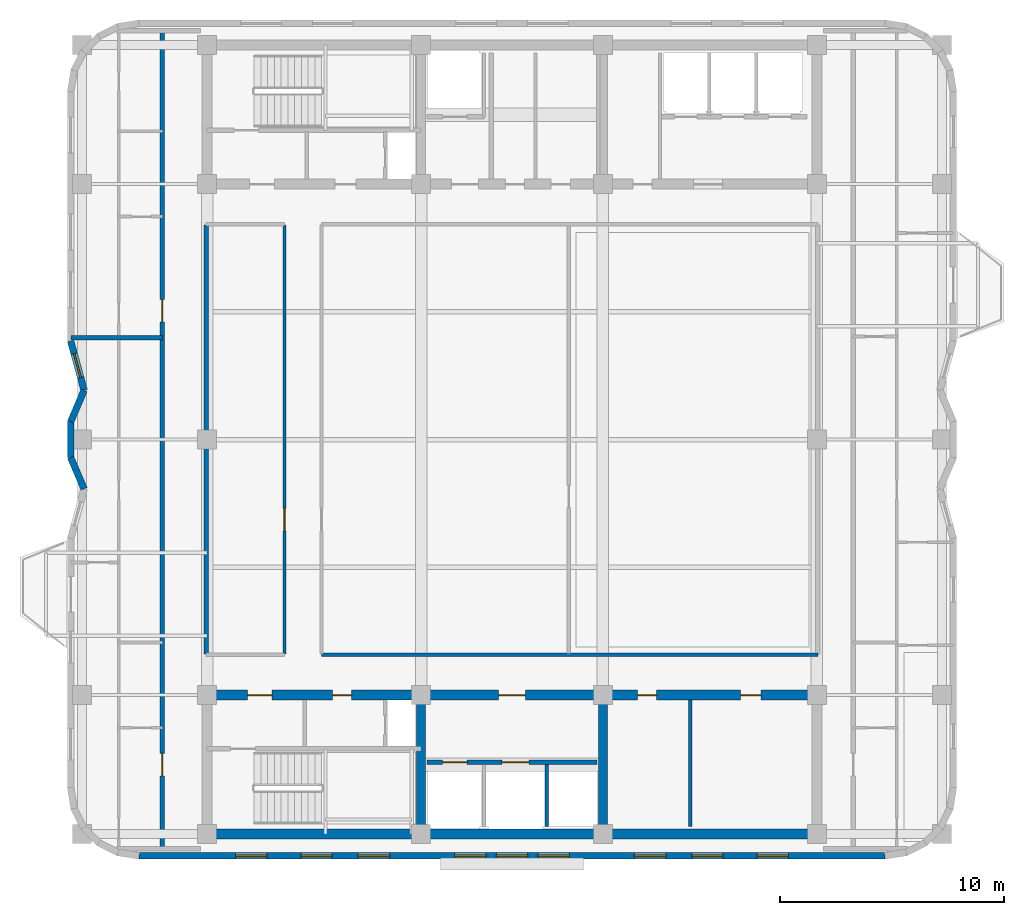
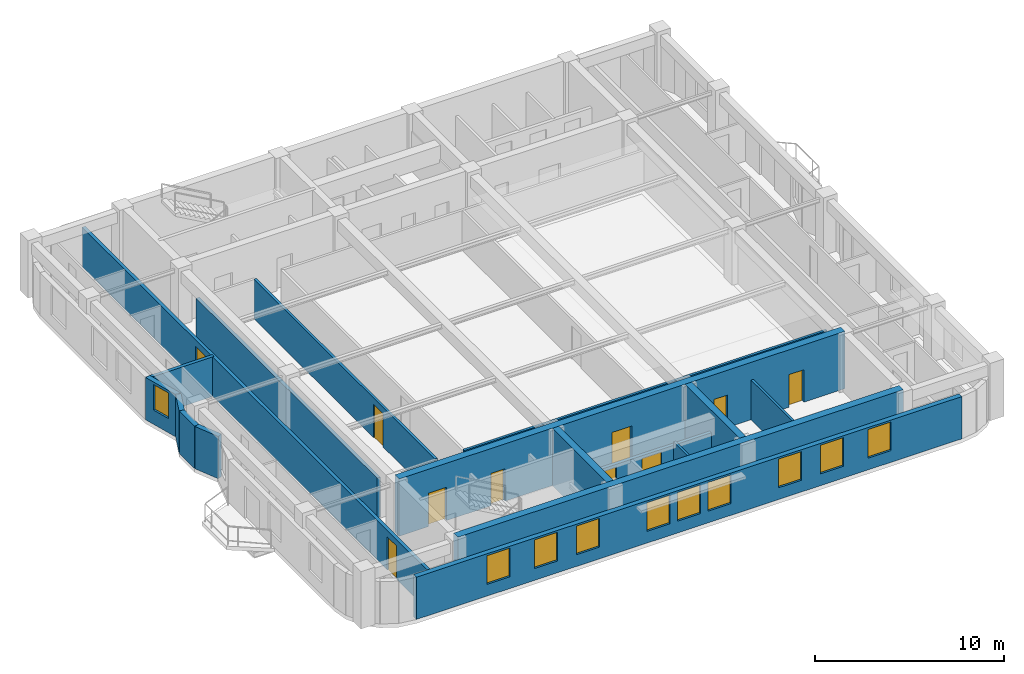
# One storey, part 3 of 8: 17 walls, 10 doors, 10 windows, 20 openings.
"""IFC4 building model written with IfcOpenShell, lengths in metres."""

from ifc_helpers import new_model, si_unit, direction, frame, frame_2d, origin, place, context, subcontext, project, spatial, rectangle, extrude, material, layer, layer_set, type_object, element, fill, save


model = new_model("IFC4")

# Units and contexts
model_context = context("Model", 3, precision=1e-05, world=origin(), true_north=direction((0.0, 1.0)))
body_context = subcontext(model_context, "Body", "Model", "MODEL_VIEW")
ifc_project = project(units=[si_unit("LENGTHUNIT", "METRE"), si_unit("AREAUNIT", "SQUARE_METRE"), si_unit("VOLUMEUNIT", "CUBIC_METRE"), si_unit("PLANEANGLEUNIT", "RADIAN"), si_unit("MASSUNIT", "GRAM", prefix="KILO")], contexts=[model_context])

# Site, building, storey
site_placement = place(None, origin())
site = spatial("IfcSite", under=ifc_project, at=site_placement, CompositionType="ELEMENT")
building_placement = place(site_placement, origin())
building = spatial("IfcBuilding", under=site, at=building_placement, Name="Svetorya Sky Lyceum", CompositionType="ELEMENT")
storey_placement = place(building_placement, frame((0.0, 0.0, 248.0)))
storey = spatial("IfcBuildingStorey", under=building, at=storey_placement, Name="L62", CompositionType="ELEMENT", Elevation=248.0)

# Walls
ifc_material_1 = material(Name="Concrete C40/50", Category="concrete")
ifc_layer_1 = layer(ifc_material_1, 0.39990234375)
ifc_layer_set_1 = layer_set([ifc_layer_1], Name="Concrete C40/50")
wall_type_1 = type_object("IfcWallType", Name="WL-CORE-400", PredefinedType="SHEAR", material=ifc_layer_set_1)
for number, where, z_axis, x_axis, name in (
    (1, (35.14990234375, 10.824951171875, 0.0), (0.0, 0.0, 1.0), (0.0, 1.0, 0.0), "L62 SC Internal Shear Web WEB1"),
    (2, (43.25, 10.824951171875, 0.0), (0.0, 0.0, 1.0), (0.0, 1.0, 0.0), "L62 SC Internal Shear Web WEB2"),
):
    element("IfcWall", number, at=place(storey_placement, frame(where, z_axis=z_axis, x_axis=x_axis)), inside=storey, type_object=wall_type_1, Name=name, PredefinedType="SHEAR", context=body_context, shape_type="SweptSolid", body=[
        extrude(rectangle(XDim=5.75, YDim=0.39990234375, at=frame_2d((2.875, 0.0))), origin(), (0.0, 0.0, 1.0), 3.699951171875),
    ])
ifc_material_2 = material(Name="Concrete C50/60", Category="concrete")
ifc_layer_2 = layer(ifc_material_2, 0.449951171875)
ifc_layer_set_2 = layer_set([ifc_layer_2], Name="Concrete C50/60")
wall_type_2 = type_object("IfcWallType", Name="WL-CORE-450", PredefinedType="SHEAR", material=ifc_layer_set_2)
wall_1_placement = place(storey_placement, frame((52.800048828125, 10.60009765625, 0.0), z_axis=(0.0, 0.0, 1.0), x_axis=(-1.0, 0.0, 0.0)))
element("IfcWall", 3, at=wall_1_placement, inside=storey, type_object=wall_type_2, Name="L62 SC Outer Core Shear Wall", PredefinedType="SHEAR", context=body_context, shape_type="SweptSolid", body=[
    extrude(rectangle(XDim=27.199951171875, YDim=0.449951171875, at=frame_2d((13.60009765625, 0.0))), origin(), (0.0, 0.0, 1.0), 3.699951171875),
])

# Wall, openings, doors
wall_2_placement = place(storey_placement, frame((25.60009765625, 16.800048828125, 0.0), z_axis=(0.0, 0.0, 1.0), x_axis=(1.0, 0.0, 0.0)))
wall_2 = element("IfcWall", 4, at=wall_2_placement, inside=storey, type_object=wall_type_2, Name="L62 SC Inner Core Shear Wall", PredefinedType="SHEAR", context=body_context, shape_type="SweptSolid", body=[
    extrude(rectangle(XDim=27.199951171875, YDim=0.449951171875, at=frame_2d((13.60009765625, 0.0))), origin(), (0.0, 0.0, 1.0), 3.699951171875),
])
opening_1_placement = place(wall_2_placement, frame((1.800048828125, 0.0, 0.0)))
opening_1 = element("IfcOpeningElement", 5, at=opening_1_placement, cuts=wall_2, Name="Opening D-ST1", PredefinedType="OPENING", context=body_context, shape_type="SweptSolid", body=[
    extrude(rectangle(XDim=1.10009765625, YDim=2.14990234375, at=frame_2d((0.550048828125, 1.074951171875))), frame((0.0, 0.23486328125, 0.0), z_axis=(0.0, -1.0, 0.0), x_axis=(1.0, 0.0, 0.0)), (0.0, 0.0, 1.0), 0.469970703125),
])
opening_2_placement = place(wall_2_placement, frame((5.60009765625, 0.0, 0.0)))
opening_2 = element("IfcOpeningElement", 6, at=opening_2_placement, cuts=wall_2, Name="Opening D-CWC1", PredefinedType="OPENING", context=body_context, shape_type="SweptSolid", body=[
    extrude(rectangle(XDim=0.85009765625, YDim=2.10009765625, at=frame_2d((0.425048828125, 1.050048828125))), frame((0.0, 0.23486328125, 0.0), z_axis=(0.0, -1.0, 0.0), x_axis=(1.0, 0.0, 0.0)), (0.0, 0.0, 1.0), 0.469970703125),
])
opening_3_placement = place(wall_2_placement, frame((13.0, 0.0, 0.0)))
opening_3 = element("IfcOpeningElement", 7, at=opening_3_placement, cuts=wall_2, Name="Opening D-FL1", PredefinedType="OPENING", context=body_context, shape_type="SweptSolid", body=[
    extrude(rectangle(XDim=1.199951171875, YDim=2.14990234375, at=frame_2d((0.60009765625, 1.074951171875))), frame((0.0, 0.23486328125, 0.0), z_axis=(0.0, -1.0, 0.0), x_axis=(1.0, 0.0, 0.0)), (0.0, 0.0, 1.0), 0.469970703125),
])
opening_4_placement = place(wall_2_placement, frame((19.199951171875, 0.0, 0.0)))
opening_4 = element("IfcOpeningElement", 8, at=opening_4_placement, cuts=wall_2, Name="Opening D-CWC1", PredefinedType="OPENING", context=body_context, shape_type="SweptSolid", body=[
    extrude(rectangle(XDim=0.85009765625, YDim=2.10009765625, at=frame_2d((0.425048828125, 1.050048828125))), frame((0.0, 0.23486328125, 0.0), z_axis=(0.0, -1.0, 0.0), x_axis=(1.0, 0.0, 0.0)), (0.0, 0.0, 1.0), 0.469970703125),
])
opening_5_placement = place(wall_2_placement, frame((23.800048828125, 0.0, 0.0)))
opening_5 = element("IfcOpeningElement", 9, at=opening_5_placement, cuts=wall_2, Name="Opening D-RM1", PredefinedType="OPENING", context=body_context, shape_type="SweptSolid", body=[
    extrude(rectangle(XDim=0.89990234375, YDim=2.10009765625, at=frame_2d((0.449951171875, 1.050048828125))), frame((0.0, 0.23486328125, 0.0), z_axis=(0.0, -1.0, 0.0), x_axis=(1.0, 0.0, 0.0)), (0.0, 0.0, 1.0), 0.469970703125),
])
ifc_material_3 = material(Name="Fire-rated galvanized steel core service closet door", Category="steel")
door_type_1 = type_object("IfcDoorType", Name="DR-CWET-850", OperationType="SINGLE_SWING_LEFT", PredefinedType="DOOR", material=ifc_material_3)
door_1_placement = place(opening_2_placement, origin())
door_1 = element("IfcDoor", 10, at=door_1_placement, inside=storey, type_object=door_type_1, Name="L62 South Hydrant Room Door", OperationType="SINGLE_SWING_LEFT", OverallHeight=2.10009765625, OverallWidth=0.85009765625, PredefinedType="DOOR", context=body_context, shape_type="SweptSolid", body=[
    extrude(rectangle(XDim=0.85009765625, YDim=2.10009765625, at=frame_2d((0.425048828125, 1.050048828125))), frame((0.0, 0.02490234375, 0.0), z_axis=(0.0, -1.0, 0.0), x_axis=(1.0, 0.0, 0.0)), (0.0, 0.0, 1.0), 0.050048828125),
])
fill(opening_2, door_1)
door_2_placement = place(opening_4_placement, origin())
door_2 = element("IfcDoor", 11, at=door_2_placement, inside=storey, type_object=door_type_1, Name="L62 Laundry Door", OperationType="SINGLE_SWING_RIGHT", OverallHeight=2.10009765625, OverallWidth=0.85009765625, PredefinedType="DOOR", context=body_context, shape_type="SweptSolid", body=[
    extrude(rectangle(XDim=0.85009765625, YDim=2.10009765625, at=frame_2d((0.425048828125, 1.050048828125))), frame((0.0, 0.02490234375, 0.0), z_axis=(0.0, -1.0, 0.0), x_axis=(1.0, 0.0, 0.0)), (0.0, 0.0, 1.0), 0.050048828125),
])
fill(opening_4, door_2)
ifc_material_4 = material(Name="Powder-coated insulated galvanized stair fire door")
door_type_2 = type_object("IfcDoorType", Name="DR-FIRE-1100", OperationType="SINGLE_SWING_LEFT", PredefinedType="DOOR", material=ifc_material_4)
door_3_placement = place(opening_1_placement, origin())
door_3 = element("IfcDoor", 12, at=door_3_placement, inside=storey, type_object=door_type_2, Name="L62 South Stair Airlock Door", OperationType="SINGLE_SWING_RIGHT", OverallHeight=2.14990234375, OverallWidth=1.10009765625, PredefinedType="DOOR", context=body_context, shape_type="SweptSolid", body=[
    extrude(rectangle(XDim=1.10009765625, YDim=2.14990234375, at=frame_2d((0.550048828125, 1.074951171875))), frame((0.0, 0.02490234375, 0.0), z_axis=(0.0, -1.0, 0.0), x_axis=(1.0, 0.0, 0.0)), (0.0, 0.0, 1.0), 0.050048828125),
])
fill(opening_1, door_3)
ifc_material_5 = material(Name="Powder-coated insulated galvanized fire door")
door_type_3 = type_object("IfcDoorType", Name="DR-FIRE-1200", OperationType="SINGLE_SWING_LEFT", PredefinedType="DOOR", material=ifc_material_5)
door_4_placement = place(opening_3_placement, origin())
door_4 = element("IfcDoor", 13, at=door_4_placement, inside=storey, type_object=door_type_3, Name="L62 South Firefighting Lift Lobby Door", OperationType="SINGLE_SWING_LEFT", OverallHeight=2.14990234375, OverallWidth=1.199951171875, PredefinedType="DOOR", context=body_context, shape_type="SweptSolid", body=[
    extrude(rectangle(XDim=1.199951171875, YDim=2.14990234375, at=frame_2d((0.60009765625, 1.074951171875))), frame((0.0, 0.02490234375, 0.0), z_axis=(0.0, -1.0, 0.0), x_axis=(1.0, 0.0, 0.0)), (0.0, 0.0, 1.0), 0.050048828125),
])
fill(opening_3, door_4)
ifc_material_6 = material(Name="Lacquered birch veneer internal door")
door_type_4 = type_object("IfcDoorType", Name="DR-INT-900", OperationType="SINGLE_SWING_LEFT", PredefinedType="DOOR", material=ifc_material_6)
door_5_placement = place(opening_5_placement, origin())
door_5 = element("IfcDoor", 14, at=door_5_placement, inside=storey, type_object=door_type_4, Name="L62 Pantry Door", OperationType="SINGLE_SWING_LEFT", OverallHeight=2.10009765625, OverallWidth=0.89990234375, PredefinedType="DOOR", context=body_context, shape_type="SweptSolid", body=[
    extrude(rectangle(XDim=0.89990234375, YDim=2.10009765625, at=frame_2d((0.449951171875, 1.050048828125))), frame((0.0, 0.02490234375, 0.0), z_axis=(0.0, -1.0, 0.0), x_axis=(1.0, 0.0, 0.0)), (0.0, 0.0, 1.0), 0.050048828125),
])
fill(opening_5, door_5)

# Wall, openings, windows
ifc_material_7 = material(Name="Putilovo limestone rainscreen on autoclaved cellular masonry", Category="masonry")
ifc_layer_3 = layer(ifc_material_7, 0.300048828125)
ifc_layer_set_3 = layer_set([ifc_layer_3], Name="Putilovo limestone rainscreen on autoclaved cellular masonry")
wall_type_3 = type_object("IfcWallType", Name="WL-EXT-300", PredefinedType="SOLIDWALL", material=ifc_layer_set_3)
wall_3_placement = place(storey_placement, frame((22.56005859375, 9.6298828125, 0.0), z_axis=(0.0, 0.0, 1.0), x_axis=(1.0, 0.0, 0.0)))
wall_3 = element("IfcWall", 15, at=wall_3_placement, inside=storey, type_object=wall_type_3, Name="L62 Limestone Exterior Wall 6M", PredefinedType="SOLIDWALL", context=body_context, shape_type="SweptSolid", body=[
    extrude(rectangle(XDim=33.280029296875, YDim=0.300048828125, at=frame_2d((16.64013671875, 0.0))), origin(), (0.0, 0.0, 1.0), 2.72998046875),
])
opening_6_placement = place(wall_3_placement, frame((4.310791015625, 0.0, 0.760009765625)))
opening_6 = element("IfcOpeningElement", 16, at=opening_6_placement, cuts=wall_3, Name="Opening W-R2", PredefinedType="OPENING", context=body_context, shape_type="SweptSolid", body=[
    extrude(rectangle(XDim=1.39990234375, YDim=1.85009765625, at=frame_2d((0.699951171875, 0.925048828125))), frame((0.0, 0.159912109375, 0.0), z_axis=(0.0, -1.0, 0.0), x_axis=(1.0, 0.0, 0.0)), (0.0, 0.0, 1.0), 0.320068359375),
])
opening_7_placement = place(wall_3_placement, frame((7.21826171875, 0.0, 0.760009765625)))
opening_7 = element("IfcOpeningElement", 17, at=opening_7_placement, cuts=wall_3, Name="Opening W-R2", PredefinedType="OPENING", context=body_context, shape_type="SweptSolid", body=[
    extrude(rectangle(XDim=1.39990234375, YDim=1.85009765625, at=frame_2d((0.699951171875, 0.925048828125))), frame((0.0, 0.159912109375, 0.0), z_axis=(0.0, -1.0, 0.0), x_axis=(1.0, 0.0, 0.0)), (0.0, 0.0, 1.0), 0.320068359375),
])
opening_8_placement = place(wall_3_placement, frame((9.775390625, 0.0, 0.760009765625)))
opening_8 = element("IfcOpeningElement", 18, at=opening_8_placement, cuts=wall_3, Name="Opening W-R2", PredefinedType="OPENING", context=body_context, shape_type="SweptSolid", body=[
    extrude(rectangle(XDim=1.39990234375, YDim=1.85009765625, at=frame_2d((0.699951171875, 0.925048828125))), frame((0.0, 0.159912109375, 0.0), z_axis=(0.0, -1.0, 0.0), x_axis=(1.0, 0.0, 0.0)), (0.0, 0.0, 1.0), 0.320068359375),
])
opening_9_placement = place(wall_3_placement, frame((14.082763671875, 0.0, 0.760009765625)))
opening_9 = element("IfcOpeningElement", 19, at=opening_9_placement, cuts=wall_3, Name="Opening W-R2", PredefinedType="OPENING", context=body_context, shape_type="SweptSolid", body=[
    extrude(rectangle(XDim=1.39990234375, YDim=1.85009765625, at=frame_2d((0.699951171875, 0.925048828125))), frame((0.0, 0.159912109375, 0.0), z_axis=(0.0, -1.0, 0.0), x_axis=(1.0, 0.0, 0.0)), (0.0, 0.0, 1.0), 0.320068359375),
])
opening_10_placement = place(wall_3_placement, frame((15.93994140625, 0.0, 0.760009765625)))
opening_10 = element("IfcOpeningElement", 20, at=opening_10_placement, cuts=wall_3, Name="Opening W-R2", PredefinedType="OPENING", context=body_context, shape_type="SweptSolid", body=[
    extrude(rectangle(XDim=1.39990234375, YDim=1.85009765625, at=frame_2d((0.699951171875, 0.925048828125))), frame((0.0, 0.159912109375, 0.0), z_axis=(0.0, -1.0, 0.0), x_axis=(1.0, 0.0, 0.0)), (0.0, 0.0, 1.0), 0.320068359375),
])
opening_11_placement = place(wall_3_placement, frame((17.79736328125, 0.0, 0.760009765625)))
opening_11 = element("IfcOpeningElement", 21, at=opening_11_placement, cuts=wall_3, Name="Opening W-R2", PredefinedType="OPENING", context=body_context, shape_type="SweptSolid", body=[
    extrude(rectangle(XDim=1.39990234375, YDim=1.85009765625, at=frame_2d((0.699951171875, 0.925048828125))), frame((0.0, 0.159912109375, 0.0), z_axis=(0.0, -1.0, 0.0), x_axis=(1.0, 0.0, 0.0)), (0.0, 0.0, 1.0), 0.320068359375),
])
opening_12_placement = place(wall_3_placement, frame((22.1044921875, 0.0, 0.760009765625)))
opening_12 = element("IfcOpeningElement", 22, at=opening_12_placement, cuts=wall_3, Name="Opening W-R2", PredefinedType="OPENING", context=body_context, shape_type="SweptSolid", body=[
    extrude(rectangle(XDim=1.39990234375, YDim=1.85009765625, at=frame_2d((0.699951171875, 0.925048828125))), frame((0.0, 0.159912109375, 0.0), z_axis=(0.0, -1.0, 0.0), x_axis=(1.0, 0.0, 0.0)), (0.0, 0.0, 1.0), 0.320068359375),
])
opening_13_placement = place(wall_3_placement, frame((24.661865234375, 0.0, 0.760009765625)))
opening_13 = element("IfcOpeningElement", 23, at=opening_13_placement, cuts=wall_3, Name="Opening W-R2", PredefinedType="OPENING", context=body_context, shape_type="SweptSolid", body=[
    extrude(rectangle(XDim=1.39990234375, YDim=1.85009765625, at=frame_2d((0.699951171875, 0.925048828125))), frame((0.0, 0.159912109375, 0.0), z_axis=(0.0, -1.0, 0.0), x_axis=(1.0, 0.0, 0.0)), (0.0, 0.0, 1.0), 0.320068359375),
])
opening_14_placement = place(wall_3_placement, frame((27.569091796875, 0.0, 0.760009765625)))
opening_14 = element("IfcOpeningElement", 24, at=opening_14_placement, cuts=wall_3, Name="Opening W-R2", PredefinedType="OPENING", context=body_context, shape_type="SweptSolid", body=[
    extrude(rectangle(XDim=1.39990234375, YDim=1.85009765625, at=frame_2d((0.699951171875, 0.925048828125))), frame((0.0, 0.159912109375, 0.0), z_axis=(0.0, -1.0, 0.0), x_axis=(1.0, 0.0, 0.0)), (0.0, 0.0, 1.0), 0.320068359375),
])
ifc_material_8 = material(Name="Thermally broken aluminium frame with triple low-E glazing", Category="aluminium")
window_type_1 = type_object("IfcWindowType", Name="WN-RES-140", PartitioningType="SINGLE_PANEL", PredefinedType="WINDOW", material=ifc_material_8)
window_1_placement = place(opening_6_placement, origin())
window_1 = element("IfcWindow", 25, at=window_1_placement, inside=storey, type_object=window_type_1, Name="L62 Facade Window W-R2.6M.1", OverallHeight=1.85009765625, OverallWidth=1.39990234375, PartitioningType="SINGLE_PANEL", PredefinedType="WINDOW", context=body_context, shape_type="SweptSolid", body=[
    extrude(rectangle(XDim=1.39990234375, YDim=1.85009765625, at=frame_2d((0.699951171875, 0.925048828125))), frame((0.0, 0.030029296875, 0.0), z_axis=(0.0, -1.0, 0.0), x_axis=(1.0, 0.0, 0.0)), (0.0, 0.0, 1.0), 0.06005859375),
])
fill(opening_6, window_1)
window_2_placement = place(opening_7_placement, origin())
window_2 = element("IfcWindow", 26, at=window_2_placement, inside=storey, type_object=window_type_1, Name="L62 Facade Window W-R2.6M.2", OverallHeight=1.85009765625, OverallWidth=1.39990234375, PartitioningType="SINGLE_PANEL", PredefinedType="WINDOW", context=body_context, shape_type="SweptSolid", body=[
    extrude(rectangle(XDim=1.39990234375, YDim=1.85009765625, at=frame_2d((0.699951171875, 0.925048828125))), frame((0.0, 0.030029296875, 0.0), z_axis=(0.0, -1.0, 0.0), x_axis=(1.0, 0.0, 0.0)), (0.0, 0.0, 1.0), 0.06005859375),
])
fill(opening_7, window_2)
window_3_placement = place(opening_8_placement, origin())
window_3 = element("IfcWindow", 27, at=window_3_placement, inside=storey, type_object=window_type_1, Name="L62 Facade Window W-R2.6M.3", OverallHeight=1.85009765625, OverallWidth=1.39990234375, PartitioningType="SINGLE_PANEL", PredefinedType="WINDOW", context=body_context, shape_type="SweptSolid", body=[
    extrude(rectangle(XDim=1.39990234375, YDim=1.85009765625, at=frame_2d((0.699951171875, 0.925048828125))), frame((0.0, 0.030029296875, 0.0), z_axis=(0.0, -1.0, 0.0), x_axis=(1.0, 0.0, 0.0)), (0.0, 0.0, 1.0), 0.06005859375),
])
fill(opening_8, window_3)
window_4_placement = place(opening_9_placement, origin())
window_4 = element("IfcWindow", 28, at=window_4_placement, inside=storey, type_object=window_type_1, Name="L62 Facade Window W-R2.6M.4", OverallHeight=1.85009765625, OverallWidth=1.39990234375, PartitioningType="SINGLE_PANEL", PredefinedType="WINDOW", context=body_context, shape_type="SweptSolid", body=[
    extrude(rectangle(XDim=1.39990234375, YDim=1.85009765625, at=frame_2d((0.699951171875, 0.925048828125))), frame((0.0, 0.030029296875, 0.0), z_axis=(0.0, -1.0, 0.0), x_axis=(1.0, 0.0, 0.0)), (0.0, 0.0, 1.0), 0.06005859375),
])
fill(opening_9, window_4)
window_5_placement = place(opening_10_placement, origin())
window_5 = element("IfcWindow", 29, at=window_5_placement, inside=storey, type_object=window_type_1, Name="L62 Facade Window W-R2.6M.5", OverallHeight=1.85009765625, OverallWidth=1.39990234375, PartitioningType="SINGLE_PANEL", PredefinedType="WINDOW", context=body_context, shape_type="SweptSolid", body=[
    extrude(rectangle(XDim=1.39990234375, YDim=1.85009765625, at=frame_2d((0.699951171875, 0.925048828125))), frame((0.0, 0.030029296875, 0.0), z_axis=(0.0, -1.0, 0.0), x_axis=(1.0, 0.0, 0.0)), (0.0, 0.0, 1.0), 0.06005859375),
])
fill(opening_10, window_5)
window_6_placement = place(opening_11_placement, origin())
window_6 = element("IfcWindow", 30, at=window_6_placement, inside=storey, type_object=window_type_1, Name="L62 Facade Window W-R2.6M.6", OverallHeight=1.85009765625, OverallWidth=1.39990234375, PartitioningType="SINGLE_PANEL", PredefinedType="WINDOW", context=body_context, shape_type="SweptSolid", body=[
    extrude(rectangle(XDim=1.39990234375, YDim=1.85009765625, at=frame_2d((0.699951171875, 0.925048828125))), frame((0.0, 0.030029296875, 0.0), z_axis=(0.0, -1.0, 0.0), x_axis=(1.0, 0.0, 0.0)), (0.0, 0.0, 1.0), 0.06005859375),
])
fill(opening_11, window_6)
window_7_placement = place(opening_12_placement, origin())
window_7 = element("IfcWindow", 31, at=window_7_placement, inside=storey, type_object=window_type_1, Name="L62 Facade Window W-R2.6M.7", OverallHeight=1.85009765625, OverallWidth=1.39990234375, PartitioningType="SINGLE_PANEL", PredefinedType="WINDOW", context=body_context, shape_type="SweptSolid", body=[
    extrude(rectangle(XDim=1.39990234375, YDim=1.85009765625, at=frame_2d((0.699951171875, 0.925048828125))), frame((0.0, 0.030029296875, 0.0), z_axis=(0.0, -1.0, 0.0), x_axis=(1.0, 0.0, 0.0)), (0.0, 0.0, 1.0), 0.06005859375),
])
fill(opening_12, window_7)
window_8_placement = place(opening_13_placement, origin())
window_8 = element("IfcWindow", 32, at=window_8_placement, inside=storey, type_object=window_type_1, Name="L62 Facade Window W-R2.6M.8", OverallHeight=1.85009765625, OverallWidth=1.39990234375, PartitioningType="SINGLE_PANEL", PredefinedType="WINDOW", context=body_context, shape_type="SweptSolid", body=[
    extrude(rectangle(XDim=1.39990234375, YDim=1.85009765625, at=frame_2d((0.699951171875, 0.925048828125))), frame((0.0, 0.030029296875, 0.0), z_axis=(0.0, -1.0, 0.0), x_axis=(1.0, 0.0, 0.0)), (0.0, 0.0, 1.0), 0.06005859375),
])
fill(opening_13, window_8)
window_9_placement = place(opening_14_placement, origin())
window_9 = element("IfcWindow", 33, at=window_9_placement, inside=storey, type_object=window_type_1, Name="L62 Facade Window W-R2.6M.9", OverallHeight=1.85009765625, OverallWidth=1.39990234375, PartitioningType="SINGLE_PANEL", PredefinedType="WINDOW", context=body_context, shape_type="SweptSolid", body=[
    extrude(rectangle(XDim=1.39990234375, YDim=1.85009765625, at=frame_2d((0.699951171875, 0.925048828125))), frame((0.0, 0.030029296875, 0.0), z_axis=(0.0, -1.0, 0.0), x_axis=(1.0, 0.0, 0.0)), (0.0, 0.0, 1.0), 0.06005859375),
])
fill(opening_14, window_9)

# Wall, opening, window
wall_4_placement = place(storey_placement, frame((19.510009765625, 32.60009765625, 0.0), z_axis=(0.0, 0.0, 1.0), x_axis=(0.263135522356, -0.964758880174, 0.0)))
wall_4 = element("IfcWall", 34, at=wall_4_placement, inside=storey, type_object=wall_type_3, Name="L62 Limestone Exterior Wall 31M", PredefinedType="SOLIDWALL", context=body_context, shape_type="SweptSolid", body=[
    extrude(rectangle(XDim=2.280517578125, YDim=0.300048828125, at=frame_2d((1.14013671875, 0.0))), origin(), (0.0, 0.0, 1.0), 2.72998046875),
])
opening_15_placement = place(wall_4_placement, frame((0.590087890625, 0.0, 0.919921875)))
opening_15 = element("IfcOpeningElement", 35, at=opening_15_placement, cuts=wall_4, Name="Opening W-R3", PredefinedType="OPENING", context=body_context, shape_type="SweptSolid", body=[
    extrude(rectangle(XDim=1.10009765625, YDim=1.64990234375, at=frame_2d((0.550048828125, 0.824951171875))), frame((0.0, 0.159912109375, 0.0), z_axis=(0.0, -1.0, 0.0), x_axis=(1.0, 0.0, 0.0)), (0.0, 0.0, 1.0), 0.320068359375),
])
window_type_2 = type_object("IfcWindowType", Name="WN-RES-110", PartitioningType="SINGLE_PANEL", PredefinedType="WINDOW", material=ifc_material_8)
window_10_placement = place(opening_15_placement, origin())
window_10 = element("IfcWindow", 36, at=window_10_placement, inside=storey, type_object=window_type_2, Name="L62 Facade Window W-R3.31M.1", OverallHeight=1.64990234375, OverallWidth=1.10009765625, PartitioningType="SINGLE_PANEL", PredefinedType="WINDOW", context=body_context, shape_type="SweptSolid", body=[
    extrude(rectangle(XDim=1.10009765625, YDim=1.64990234375, at=frame_2d((0.550048828125, 0.824951171875))), frame((0.0, 0.030029296875, 0.0), z_axis=(0.0, -1.0, 0.0), x_axis=(1.0, 0.0, 0.0)), (0.0, 0.0, 1.0), 0.06005859375),
])
fill(opening_15, window_10)

# Walls
wall_5_placement = place(storey_placement, frame((20.110107421875, 30.39990234375, 0.0), z_axis=(0.0, 0.0, 1.0), x_axis=(-0.39399667932, -0.919111862988, 0.0)))
element("IfcWall", 37, at=wall_5_placement, inside=storey, type_object=wall_type_3, Name="L62 Limestone Exterior Wall 32M", PredefinedType="SOLIDWALL", context=body_context, shape_type="SweptSolid", body=[
    extrude(rectangle(XDim=1.523193359375, YDim=0.300048828125, at=frame_2d((0.76171875, 0.0))), origin(), (0.0, 0.0, 1.0), 2.72998046875),
])
wall_6_placement = place(storey_placement, frame((19.510009765625, 29.0, 0.0), z_axis=(0.0, 0.0, 1.0), x_axis=(0.0, -1.0, 0.0)))
element("IfcWall", 38, at=wall_6_placement, inside=storey, type_object=wall_type_3, Name="L62 Limestone Exterior Wall 33M", PredefinedType="SOLIDWALL", context=body_context, shape_type="SweptSolid", body=[
    extrude(rectangle(XDim=1.60009765625, YDim=0.300048828125, at=frame_2d((0.800048828125, 0.0))), origin(), (0.0, 0.0, 1.0), 2.72998046875),
])
wall_7_placement = place(storey_placement, frame((19.510009765625, 27.39990234375, 0.0), z_axis=(0.0, 0.0, 1.0), x_axis=(0.39399667932, -0.919111862988, 0.0)))
element("IfcWall", 39, at=wall_7_placement, inside=storey, type_object=wall_type_3, Name="L62 Limestone Exterior Wall 34M", PredefinedType="SOLIDWALL", context=body_context, shape_type="SweptSolid", body=[
    extrude(rectangle(XDim=1.523193359375, YDim=0.300048828125, at=frame_2d((0.76171875, 0.0))), origin(), (0.0, 0.0, 1.0), 2.72998046875),
])
ifc_material_9 = material(Name="Autoclaved cellular masonry blockwork with acoustic render", Category="masonry")
ifc_layer_4 = layer(ifc_material_9, 0.14990234375)
ifc_layer_set_4 = layer_set([ifc_layer_4], Name="Autoclaved cellular masonry blockwork with acoustic render")
wall_type_4 = type_object("IfcWallType", Name="WL-PART-150", PredefinedType="PARTITIONING", material=ifc_layer_set_4)
wall_8_placement = place(storey_placement, frame((40.75, 10.949951171875, 0.0), z_axis=(0.0, 0.0, 1.0), x_axis=(0.0, 1.0, 0.0)))
element("IfcWall", 40, at=wall_8_placement, inside=storey, type_object=wall_type_4, Name="L62 Interior Partition SC-SHD2", PredefinedType="PARTITIONING", context=body_context, shape_type="SweptSolid", body=[
    extrude(rectangle(XDim=2.75, YDim=0.14990234375, at=frame_2d((1.375, 0.0))), origin(), (0.0, 0.0, 1.0), 2.56005859375),
])
wall_9_placement = place(storey_placement, frame((47.14990234375, 10.949951171875, 0.0), z_axis=(0.0, 0.0, 1.0), x_axis=(0.0, 1.0, 0.0)))
element("IfcWall", 41, at=wall_9_placement, inside=storey, type_object=wall_type_4, Name="L62 Interior Partition SC-LV7-VA", PredefinedType="PARTITIONING", context=body_context, shape_type="SweptSolid", body=[
    extrude(rectangle(XDim=5.630126953125, YDim=0.14990234375, at=frame_2d((2.81494140625, 0.0))), origin(), (0.0, 0.0, 1.0), 2.56005859375),
])
wall_10_placement = place(storey_placement, frame((30.699951171875, 18.60009765625, 0.0), z_axis=(0.0, 0.0, 1.0), x_axis=(1.0, 0.0, 0.0)))
element("IfcWall", 42, at=wall_10_placement, inside=storey, type_object=wall_type_4, Name="L62 Interior Partition OFF-CS-E", PredefinedType="PARTITIONING", context=body_context, shape_type="SweptSolid", body=[
    extrude(rectangle(XDim=22.150146484375, YDim=0.14990234375, at=frame_2d((11.0751953125, 0.0))), origin(), (0.0, 0.0, 1.0), 2.56005859375),
])

# Wall, opening, door
wall_11_placement = place(storey_placement, frame((29.050048828125, 18.6298828125, 0.0), z_axis=(0.0, 0.0, 1.0), x_axis=(0.0, 1.0, 0.0)))
wall_11 = element("IfcWall", 43, at=wall_11_placement, inside=storey, type_object=wall_type_4, Name="L62 Interior Partition OFF-VW", PredefinedType="PARTITIONING", context=body_context, shape_type="SweptSolid", body=[
    extrude(rectangle(XDim=19.14013671875, YDim=0.14990234375, at=frame_2d((9.570068359375, 0.0))), origin(), (0.0, 0.0, 1.0), 2.56005859375),
])
opening_16_placement = place(wall_11_placement, frame((5.5, 0.0, 0.0)))
opening_16 = element("IfcOpeningElement", 44, at=opening_16_placement, cuts=wall_11, Name="Opening D-RM2", PredefinedType="OPENING", context=body_context, shape_type="SweptSolid", body=[
    extrude(rectangle(XDim=1.0, YDim=2.14990234375, at=frame_2d((0.5, 1.074951171875))), frame((0.0, 0.0849609375, 0.0), z_axis=(0.0, -1.0, 0.0), x_axis=(1.0, 0.0, 0.0)), (0.0, 0.0, 1.0), 0.169921875),
])
ifc_material_10 = material(Name="Solid-core oak acoustic room door")
door_type_5 = type_object("IfcDoorType", Name="DR-INT-1000", OperationType="SINGLE_SWING_LEFT", PredefinedType="DOOR", material=ifc_material_10)
door_6_placement = place(opening_16_placement, origin())
door_6 = element("IfcDoor", 45, at=door_6_placement, inside=storey, type_object=door_type_5, Name="L62 West Office Door", OperationType="SINGLE_SWING_LEFT", OverallHeight=2.14990234375, OverallWidth=1.0, PredefinedType="DOOR", context=body_context, shape_type="SweptSolid", body=[
    extrude(rectangle(XDim=1.0, YDim=2.14990234375, at=frame_2d((0.5, 1.074951171875))), frame((0.0, 0.02490234375, 0.0), z_axis=(0.0, -1.0, 0.0), x_axis=(1.0, 0.0, 0.0)), (0.0, 0.0, 1.0), 0.050048828125),
])
fill(opening_16, door_6)

# Wall, openings, doors
ifc_material_11 = material(Name="Autoclaved cellular masonry blockwork with gypsum plaster", Category="masonry")
ifc_layer_5 = layer(ifc_material_11, 0.199951171875)
ifc_layer_set_5 = layer_set([ifc_layer_5], Name="Autoclaved cellular masonry blockwork with gypsum plaster")
wall_type_5 = type_object("IfcWallType", Name="WL-PART-200", PredefinedType="PARTITIONING", material=ifc_layer_set_5)
wall_12_placement = place(storey_placement, frame((35.39990234375, 13.800048828125, 0.0), z_axis=(0.0, 0.0, 1.0), x_axis=(1.0, 0.0, 0.0)))
wall_12 = element("IfcWall", 46, at=wall_12_placement, inside=storey, type_object=wall_type_5, Name="L62 Interior Partition SC-FLW", PredefinedType="PARTITIONING", context=body_context, shape_type="SweptSolid", body=[
    extrude(rectangle(XDim=7.60009765625, YDim=0.199951171875, at=frame_2d((3.800048828125, 0.0))), origin(), (0.0, 0.0, 1.0), 2.330078125),
])
opening_17_placement = place(wall_12_placement, frame((0.699951171875, 0.0, 0.0)))
opening_17 = element("IfcOpeningElement", 47, at=opening_17_placement, cuts=wall_12, Name="Opening LD-FL", PredefinedType="OPENING", context=body_context, shape_type="SweptSolid", body=[
    extrude(rectangle(XDim=1.10009765625, YDim=2.14990234375, at=frame_2d((0.550048828125, 1.074951171875))), frame((0.0, 0.10986328125, 0.0), z_axis=(0.0, -1.0, 0.0), x_axis=(1.0, 0.0, 0.0)), (0.0, 0.0, 1.0), 0.219970703125),
])
opening_18_placement = place(wall_12_placement, frame((3.35009765625, 0.0, 0.0)))
opening_18 = element("IfcOpeningElement", 48, at=opening_18_placement, cuts=wall_12, Name="Opening LD-SV", PredefinedType="OPENING", context=body_context, shape_type="SweptSolid", body=[
    extrude(rectangle(XDim=1.199951171875, YDim=2.14990234375, at=frame_2d((0.60009765625, 1.074951171875))), frame((0.0, 0.10986328125, 0.0), z_axis=(0.0, -1.0, 0.0), x_axis=(1.0, 0.0, 0.0)), (0.0, 0.0, 1.0), 0.219970703125),
])
ifc_material_12 = material(Name="Fire-rated stainless AISI 304 firefighting lift landing door")
door_type_6 = type_object("IfcDoorType", Name="DR-LIFT-1100", OperationType="SLIDING_TO_LEFT", PredefinedType="DOOR", material=ifc_material_12)
door_7_placement = place(opening_17_placement, origin())
door_7 = element("IfcDoor", 49, at=door_7_placement, inside=storey, type_object=door_type_6, Name="L62 Firefighting Lift FL2 Landing Door", OperationType="SLIDING_TO_LEFT", OverallHeight=2.14990234375, OverallWidth=1.10009765625, PredefinedType="DOOR", context=body_context, shape_type="SweptSolid", body=[
    extrude(rectangle(XDim=1.10009765625, YDim=2.14990234375, at=frame_2d((0.550048828125, 1.074951171875))), frame((0.0, 0.02490234375, 0.0), z_axis=(0.0, -1.0, 0.0), x_axis=(1.0, 0.0, 0.0)), (0.0, 0.0, 1.0), 0.050048828125),
])
fill(opening_17, door_7)
ifc_material_13 = material(Name="Brushed stainless AISI 304 telescopic lift landing door")
door_type_7 = type_object("IfcDoorType", Name="DR-LIFT-1200", OperationType="SLIDING_TO_LEFT", PredefinedType="DOOR", material=ifc_material_13)
door_8_placement = place(opening_18_placement, origin())
door_8 = element("IfcDoor", 50, at=door_8_placement, inside=storey, type_object=door_type_7, Name="L62 Service Lift SVL1 Landing Door", OperationType="SLIDING_TO_LEFT", OverallHeight=2.14990234375, OverallWidth=1.199951171875, PredefinedType="DOOR", context=body_context, shape_type="SweptSolid", body=[
    extrude(rectangle(XDim=1.199951171875, YDim=2.14990234375, at=frame_2d((0.60009765625, 1.074951171875))), frame((0.0, 0.02490234375, 0.0), z_axis=(0.0, -1.0, 0.0), x_axis=(1.0, 0.0, 0.0)), (0.0, 0.0, 1.0), 0.050048828125),
])
fill(opening_18, door_8)

# Walls
wall_13_placement = place(storey_placement, frame((25.550048828125, 18.6298828125, 0.0), z_axis=(0.0, 0.0, 1.0), x_axis=(0.0, 1.0, 0.0)))
element("IfcWall", 51, at=wall_13_placement, inside=storey, type_object=wall_type_5, Name="L62 Interior Partition W-CEN-SEP", PredefinedType="PARTITIONING", context=body_context, shape_type="SweptSolid", body=[
    extrude(rectangle(XDim=19.14013671875, YDim=0.199951171875, at=frame_2d((9.570068359375, 0.0))), origin(), (0.0, 0.0, 1.0), 2.56005859375),
])
wall_14_placement = place(storey_placement, frame((19.530029296875, 32.75, 0.0), z_axis=(0.0, 0.0, 1.0), x_axis=(1.0, 0.0, 0.0)))
element("IfcWall", 52, at=wall_14_placement, inside=storey, type_object=wall_type_5, Name="L62 Interior Partition W-PARTY-1", PredefinedType="PARTITIONING", context=body_context, shape_type="SweptSolid", body=[
    extrude(rectangle(XDim=4.070068359375, YDim=0.199951171875, at=frame_2d((2.03515625, 0.0))), origin(), (0.0, 0.0, 1.0), 2.56005859375),
])

# Wall, openings, doors
wall_15_placement = place(storey_placement, frame((23.60009765625, 9.949951171875, 0.0), z_axis=(0.0, 0.0, 1.0), x_axis=(0.0, 1.0, 0.0)))
wall_15 = element("IfcWall", 53, at=wall_15_placement, inside=storey, type_object=wall_type_5, Name="L62 Interior Partition W-CORRW", PredefinedType="PARTITIONING", context=body_context, shape_type="SweptSolid", body=[
    extrude(rectangle(XDim=36.5, YDim=0.199951171875, at=frame_2d((18.25, 0.0))), origin(), (0.0, 0.0, 1.0), 2.56005859375),
])
opening_19_placement = place(wall_15_placement, frame((3.25, 0.0, 0.0)))
opening_19 = element("IfcOpeningElement", 54, at=opening_19_placement, cuts=wall_15, Name="Opening D-APT1", PredefinedType="OPENING", context=body_context, shape_type="SweptSolid", body=[
    extrude(rectangle(XDim=1.0, YDim=2.14990234375, at=frame_2d((0.5, 1.074951171875))), frame((0.0, 0.10986328125, 0.0), z_axis=(0.0, -1.0, 0.0), x_axis=(1.0, 0.0, 0.0)), (0.0, 0.0, 1.0), 0.219970703125),
])
opening_20_placement = place(wall_15_placement, frame((23.5, 0.0, 0.0)))
opening_20 = element("IfcOpeningElement", 55, at=opening_20_placement, cuts=wall_15, Name="Opening D-APT1", PredefinedType="OPENING", context=body_context, shape_type="SweptSolid", body=[
    extrude(rectangle(XDim=1.0, YDim=2.14990234375, at=frame_2d((0.5, 1.074951171875))), frame((0.0, 0.10986328125, 0.0), z_axis=(0.0, -1.0, 0.0), x_axis=(1.0, 0.0, 0.0)), (0.0, 0.0, 1.0), 0.219970703125),
])
ifc_material_14 = material(Name="Insulated oak-veneered apartment entrance door")
door_type_8 = type_object("IfcDoorType", Name="DR-APT-1000", OperationType="SINGLE_SWING_LEFT", PredefinedType="DOOR", material=ifc_material_14)
door_9_placement = place(opening_19_placement, origin())
door_9 = element("IfcDoor", 56, at=door_9_placement, inside=storey, type_object=door_type_8, Name="L62 Apartment W1 Entrance Door", OperationType="SINGLE_SWING_LEFT", OverallHeight=2.14990234375, OverallWidth=1.0, PredefinedType="DOOR", context=body_context, shape_type="SweptSolid", body=[
    extrude(rectangle(XDim=1.0, YDim=2.14990234375, at=frame_2d((0.5, 1.074951171875))), frame((0.0, 0.02490234375, 0.0), z_axis=(0.0, -1.0, 0.0), x_axis=(1.0, 0.0, 0.0)), (0.0, 0.0, 1.0), 0.050048828125),
])
fill(opening_19, door_9)
door_10_placement = place(opening_20_placement, origin())
door_10 = element("IfcDoor", 57, at=door_10_placement, inside=storey, type_object=door_type_8, Name="L62 Apartment W2 Entrance Door", OperationType="SINGLE_SWING_RIGHT", OverallHeight=2.14990234375, OverallWidth=1.0, PredefinedType="DOOR", context=body_context, shape_type="SweptSolid", body=[
    extrude(rectangle(XDim=1.0, YDim=2.14990234375, at=frame_2d((0.5, 1.074951171875))), frame((0.0, 0.02490234375, 0.0), z_axis=(0.0, -1.0, 0.0), x_axis=(1.0, 0.0, 0.0)), (0.0, 0.0, 1.0), 0.050048828125),
])
fill(opening_20, door_10)

save(model, "model.ifc")
